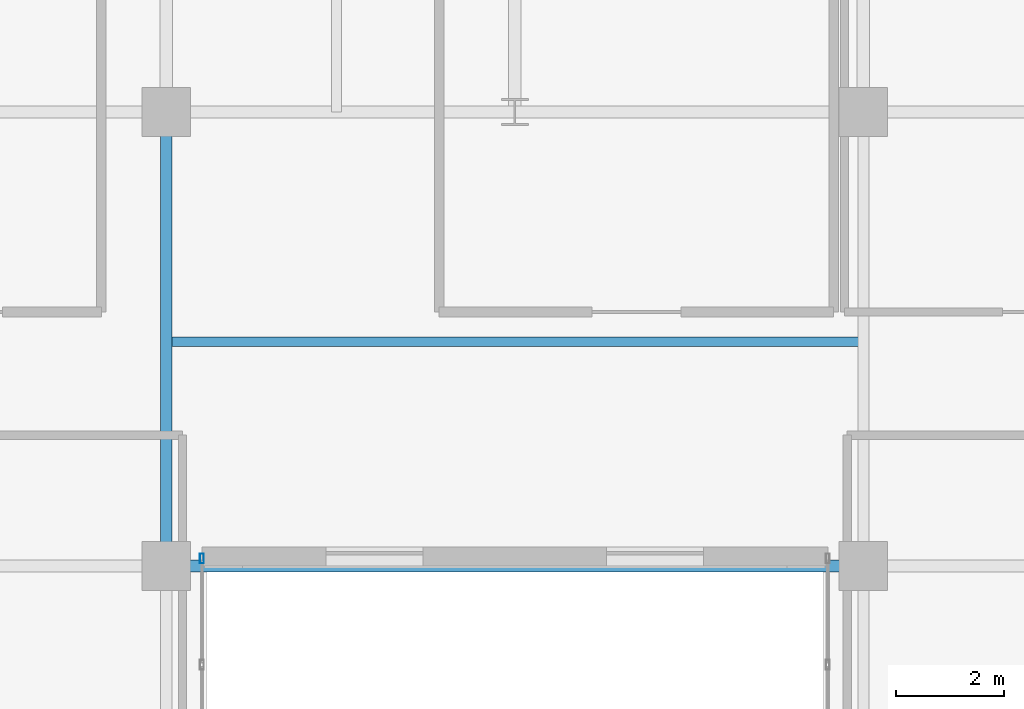
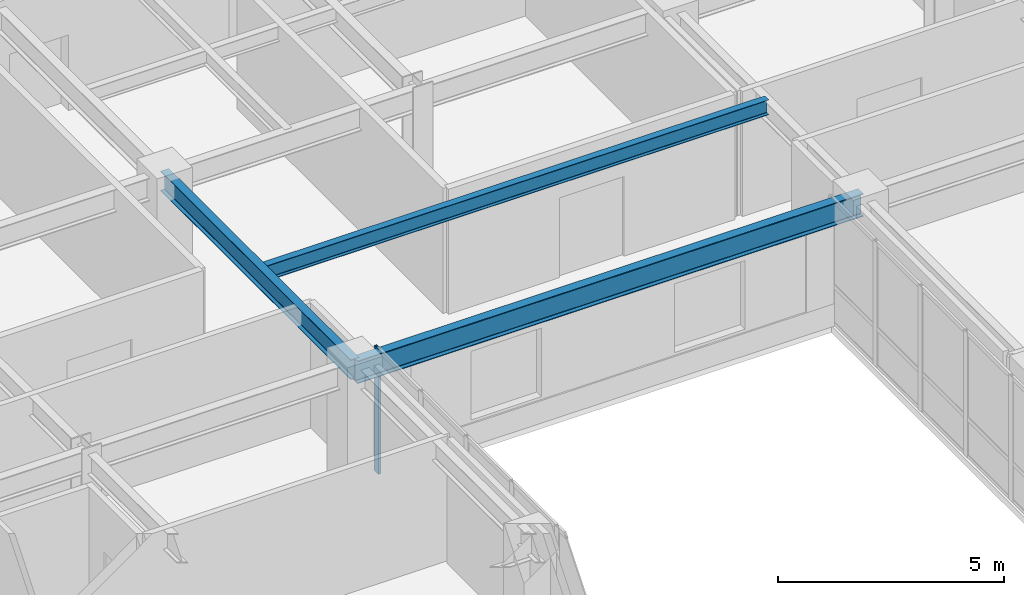
# One storey, part 12 of 37: 3 beams, 1 member, 1 element without a shape of its own.
"""IFC4 building model written with IfcOpenShell, lengths in metres."""

from ifc_helpers import new_model, si_unit, direction, frame, origin, origin_2d, place, context, subcontext, project, spatial, hollow_rectangle, i_section, extrude, source, transform, mapped, material, layer, layer_set, material_profile, profile_set, type_object, type_shapes, element, aggregate, save


model = new_model("IFC4")

# Units and contexts
model_context = context("Model", 3, precision=1e-05, world=origin(), true_north=direction((0.0, 1.0)))
body_context = subcontext(model_context, "Body", "Model", "MODEL_VIEW")
ifc_project = project(units=[si_unit("LENGTHUNIT", "METRE"), si_unit("AREAUNIT", "SQUARE_METRE"), si_unit("VOLUMEUNIT", "CUBIC_METRE"), si_unit("PLANEANGLEUNIT", "RADIAN"), si_unit("MASSUNIT", "GRAM", prefix="KILO")], contexts=[model_context])

# Site, building, storey
site_placement = place(None, origin())
site = spatial("IfcSite", under=ifc_project, at=site_placement, CompositionType="ELEMENT")
building_placement = place(site_placement, origin())
building = spatial("IfcBuilding", under=site, at=building_placement, Name="Tolvann Quenvar Hotel", CompositionType="ELEMENT")
storey_placement = place(building_placement, frame((0.0, 0.0, 104.449951171875)))
storey = spatial("IfcBuildingStorey", under=building, at=storey_placement, Name="L26", CompositionType="ELEMENT", Elevation=104.449951171875)

# Beams
ifc_material_1 = material(Name="Steel Grade 350", Category="steel")
ifc_material_profile_1 = material_profile(ifc_material_1, i_section(OverallWidth=0.22900390625, OverallDepth=0.612060546875, WebThickness=0.011962890625, FlangeThickness=0.01953125, FilletRadius=0.013916015625, at=origin_2d()), Name="610UB125")
ifc_profile_set_1 = profile_set([ifc_material_profile_1], Name="Steel Grade 350")
beam_type_1 = type_object("IfcBeamType", Name="BM_GIRD_610UB125", PredefinedType="BEAM", material=ifc_profile_set_1)
shared_shape_1 = source(origin(), body_context, "Body", "SweptSolid", [
    extrude(i_section(OverallWidth=0.22900390625, OverallDepth=0.612060546875, WebThickness=0.011962890625, FlangeThickness=0.01953125, FilletRadius=0.013916015625, at=origin_2d()), origin(), (0.0, 0.0, 1.0), 12.89990234375),
])
type_shapes(beam_type_1, [shared_shape_1])
beam_1_placement = place(storey_placement, frame((22.050048828125, 16.0, 3.06396484375), z_axis=(1.0, 0.0, 0.0), x_axis=(0.0, 1.0, 0.0)))
element("IfcBeam", 1, at=beam_1_placement, inside=storey, type_object=beam_type_1, Name="BM-L26-EW-4-E4-F4", PredefinedType="BEAM", context=body_context, shape_type="MappedRepresentation", body=[
    mapped(shared_shape_1, transform((0.0, 0.0, 0.0), x_axis=(1.0, 0.0, 0.0), y_axis=(0.0, 1.0, 0.0), z_axis=(0.0, 0.0, 1.0), scale=1.0)),
])
ifc_material_profile_2 = material_profile(ifc_material_1, i_section(OverallWidth=0.208984375, OverallDepth=0.532958984375, WebThickness=0.01025390625, FlangeThickness=0.015625, FilletRadius=0.013916015625, at=origin_2d()), Name="530UB92")
ifc_profile_set_2 = profile_set([ifc_material_profile_2], Name="Steel Grade 350")
beam_type_2 = type_object("IfcBeamType", Name="BM_GIRD_530UB92", PredefinedType="BEAM", material=ifc_profile_set_2)
shared_shape_2 = source(origin(), body_context, "Body", "SweptSolid", [
    extrude(i_section(OverallWidth=0.208984375, OverallDepth=0.532958984375, WebThickness=0.01025390625, FlangeThickness=0.015625, FilletRadius=0.013916015625, at=origin_2d()), origin(), (0.0, 0.0, 1.0), 8.39990234375),
])
type_shapes(beam_type_2, [shared_shape_2])
beam_2_placement = place(storey_placement, frame((22.050048828125, 16.0, 3.103515625), z_axis=(0.0, 1.0, 0.0), x_axis=(-1.0, 0.0, 0.0)))
element("IfcBeam", 2, at=beam_2_placement, inside=storey, type_object=beam_type_2, Name="BM-L26-NS-E4-E5", PredefinedType="BEAM", context=body_context, shape_type="MappedRepresentation", body=[
    mapped(shared_shape_2, transform((0.0, 0.0, 0.0), x_axis=(1.0, 0.0, 0.0), y_axis=(0.0, 1.0, 0.0), z_axis=(0.0, 0.0, 1.0), scale=1.0)),
])
ifc_material_profile_3 = material_profile(ifc_material_1, i_section(OverallWidth=0.177978515625, OverallDepth=0.406005859375, WebThickness=0.0078125, FlangeThickness=0.0126953125, FilletRadius=0.011474609375, at=origin_2d()), Name="410UB60")
ifc_profile_set_3 = profile_set([ifc_material_profile_3], Name="Steel Grade 350")
beam_type_3 = type_object("IfcBeamType", Name="BM_JOIST_410UB60", PredefinedType="JOIST", material=ifc_profile_set_3)
shared_shape_3 = source(origin(), body_context, "Body", "SweptSolid", [
    extrude(i_section(OverallWidth=0.177978515625, OverallDepth=0.406005859375, WebThickness=0.0078125, FlangeThickness=0.0126953125, FilletRadius=0.011474609375, at=origin_2d()), origin(), (0.0, 0.0, 1.0), 12.89990234375),
])
type_shapes(beam_type_3, [shared_shape_3])
beam_3_placement = place(storey_placement, frame((22.050048828125, 20.14990234375, 3.1669921875), z_axis=(1.0, 0.0, 0.0), x_axis=(0.0, 1.0, 0.0)))
element("IfcBeam", 3, at=beam_3_placement, inside=storey, type_object=beam_type_3, Name="BM-L26-SPINE-20", PredefinedType="JOIST", context=body_context, shape_type="MappedRepresentation", body=[
    mapped(shared_shape_3, transform((0.0, 0.0, 0.0), x_axis=(1.0, 0.0, 0.0), y_axis=(0.0, 1.0, 0.0), z_axis=(0.0, 0.0, 1.0), scale=1.0)),
])

# Curtain wall, member
ifc_material_2 = material(Name="Thermally broken anodised architectural aluminium 6063-T6 and laminated low-E glass", Category="aluminium")
ifc_layer = layer(ifc_material_2, 0.179931640625)
ifc_layer_set = layer_set([ifc_layer], Name="Thermally broken anodised architectural aluminium 6063-T6 and laminated low-E glass")
curtain_wall_type = type_object("IfcCurtainWallType", Name="CW_SYS_SLOT_03", PredefinedType="USERDEFINED", material=ifc_layer_set)
curtain_wall_placement = place(storey_placement, origin())
curtain_wall = element("IfcCurtainWall", 4, at=curtain_wall_placement, inside=storey, type_object=curtain_wall_type, Name="Curtain Wall CW-SLOT-03 (CWR-L26-E05)", ObjectType="UNITISED CURTAIN WALL", PredefinedType="USERDEFINED")
ifc_material_3 = material(Name="Anodised architectural aluminium 6063-T6 framing", Category="aluminium")
ifc_material_profile_4 = material_profile(ifc_material_3, hollow_rectangle(XDim=0.070068359375, YDim=0.179931640625, WallThickness=0.00390625, at=origin_2d()), Name="180x70x4RHS")
ifc_profile_set_4 = profile_set([ifc_material_profile_4], Name="Anodised architectural aluminium 6063-T6 framing")
member_type = type_object("IfcMemberType", Name="CW_MULL_180x70", PredefinedType="MULLION", material=ifc_profile_set_4)
shared_shape_4 = source(origin(), body_context, "Body", "SweptSolid", [
    extrude(hollow_rectangle(XDim=0.070068359375, YDim=0.179931640625, WallThickness=0.00390625, at=origin_2d()), origin(), (0.0, 0.0, 1.0), 3.3701171875),
])
type_shapes(member_type, [shared_shape_4])
member_placement = place(storey_placement, frame((22.7099609375, 16.139892578125, 0.0), z_axis=(0.0, 0.0, 1.0), x_axis=(-1.0, 0.0, 0.0)))
member = element("IfcMember", 5, at=member_placement, type_object=member_type, Name="CW-SLOT-03 mullion 9", PredefinedType="MULLION", context=body_context, shape_type="MappedRepresentation", body=[
    mapped(shared_shape_4, transform((0.0, 0.0, 0.0), x_axis=(1.0, 0.0, 0.0), y_axis=(0.0, 1.0, 0.0), z_axis=(0.0, 0.0, 1.0), scale=1.0)),
])
aggregate(curtain_wall, [member])

save(model, "model.ifc")
